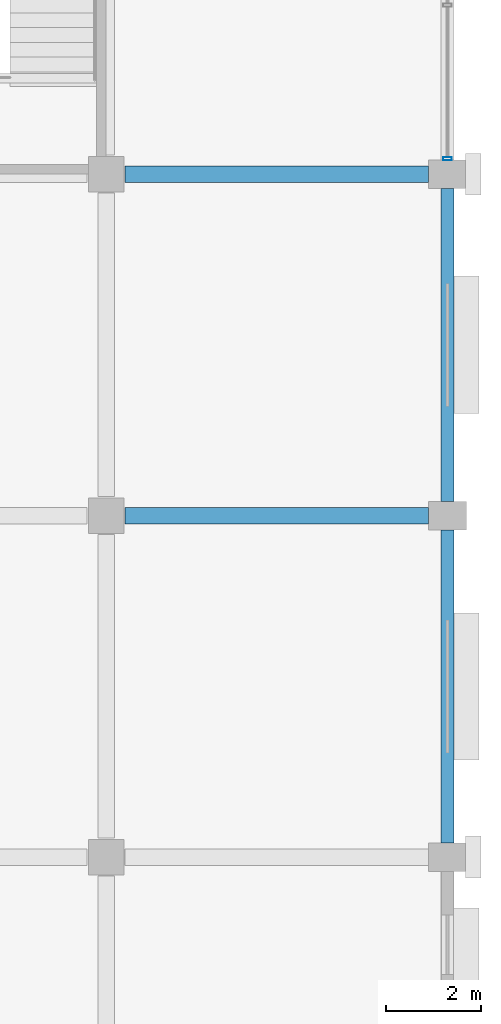
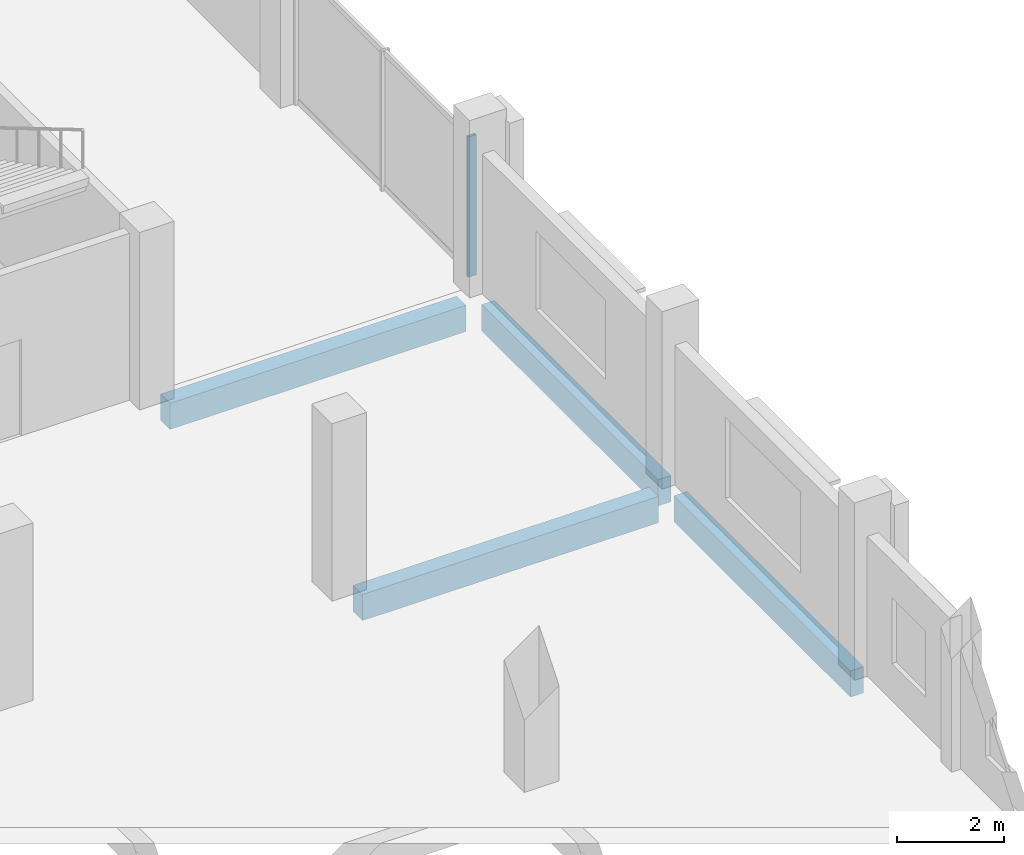
# One storey, part 58 of 108: 4 beams, 1 member, 1 element without a shape of its own.
"""IFC4 building model written with IfcOpenShell, lengths in metres."""

from ifc_helpers import new_model, si_unit, direction, frame, origin, origin_2d, place, context, subcontext, project, spatial, rectangle, hollow_rectangle, extrude, material, layer, layer_set, material_profile, profile_set, type_object, element, aggregate, save


model = new_model("IFC4")

# Units and contexts
model_context = context("Model", 3, precision=1e-05, world=origin(), true_north=direction((0.0, 1.0)))
body_context = subcontext(model_context, "Body", "Model", "MODEL_VIEW")
ifc_project = project(units=[si_unit("LENGTHUNIT", "METRE"), si_unit("AREAUNIT", "SQUARE_METRE"), si_unit("VOLUMEUNIT", "CUBIC_METRE"), si_unit("PLANEANGLEUNIT", "RADIAN"), si_unit("MASSUNIT", "GRAM", prefix="KILO")], contexts=[model_context])

# Site, building, storey
site_placement = place(None, origin())
site = spatial("IfcSite", under=ifc_project, at=site_placement, CompositionType="ELEMENT")
building_placement = place(site_placement, origin())
building = spatial("IfcBuilding", under=site, at=building_placement, Name="Kangsadwip Square Police Headquarters", CompositionType="ELEMENT")
storey_placement = place(building_placement, frame((0.0, 0.0, 9.449951171875)))
storey = spatial("IfcBuildingStorey", under=building, at=storey_placement, Name="L02", CompositionType="ELEMENT", Elevation=9.449951171875)

# Curtain wall, member
ifc_material_1 = material(Name="Thermally broken anodised aluminium AW-6063-T6", Category="aluminium")
ifc_layer = layer(ifc_material_1, 0.159912109375)
ifc_layer_set = layer_set([ifc_layer], Name="Thermally broken anodised aluminium AW-6063-T6")
curtain_wall_type = type_object("IfcCurtainWallType", Name="UnitisedCw6535x3200", PredefinedType="NOTDEFINED", material=ifc_layer_set)
curtain_wall_placement = place(storey_placement, origin())
curtain_wall = element("IfcCurtainWall", 1, at=curtain_wall_placement, inside=storey, type_object=curtain_wall_type, Name="Curtain Wall CW-L02-1656-0939", PredefinedType="NOTDEFINED")
ifc_material_2 = material(Name="Thermally broken anodised aluminium AW-6063-T6", Category="aluminium")
ifc_material_profile_1 = material_profile(ifc_material_2, hollow_rectangle(XDim=0.06494140625, YDim=0.179931640625, WallThickness=0.00390625, at=origin_2d()), Name="CWM 180X65X4")
ifc_profile_set_1 = profile_set([ifc_material_profile_1], Name="Thermally broken anodised aluminium AW-6063-T6")
member_type = type_object("IfcMemberType", Name="CwMullion160x65", PredefinedType="MULLION", material=ifc_profile_set_1)
member_placement = place(storey_placement, frame((165.60009765625, 93.927490234375, 0.0), z_axis=(0.0, 0.0, 1.0), x_axis=(0.0, 1.0, 0.0)))
member = element("IfcMember", 2, at=member_placement, type_object=member_type, Name="CW-34 mullion 1", PredefinedType="MULLION", context=body_context, shape_type="SweptSolid", body=[
    extrude(hollow_rectangle(XDim=0.06494140625, YDim=0.179931640625, WallThickness=0.00390625, at=origin_2d()), origin(), (0.0, 0.0, 1.0), 3.199951171875),
])
aggregate(curtain_wall, [member])

# Beams
ifc_material_3 = material(Name="Concrete M35 (35 MPa)", Category="concrete")
ifc_material_profile_2 = material_profile(ifc_material_3, rectangle(XDim=0.35009765625, YDim=0.60009765625, at=origin_2d()), Name="RC BM 600X350")
ifc_profile_set_2 = profile_set([ifc_material_profile_2], Name="Concrete M35 (35 MPa)")
beam_type_1 = type_object("IfcBeamType", Name="RcBeam600x350", PredefinedType="BEAM", material=ifc_profile_set_2)
for number, where, z_axis, x_axis, name in (
    (3, (158.800048828125, 86.39990234375, -0.5400390625), (1.0, 0.0, 0.0), (0.0, 1.0, 0.0), "Beam BM-L02-X-22-12"),
    (4, (158.800048828125, 93.60009765625, -0.5400390625), (1.0, 0.0, 0.0), (0.0, 1.0, 0.0), "Beam BM-L02-X-22-13"),
):
    element("IfcBeam", number, at=place(storey_placement, frame(where, z_axis=z_axis, x_axis=x_axis)), inside=storey, type_object=beam_type_1, Name=name, PredefinedType="BEAM", context=body_context, shape_type="SweptSolid", body=[
        extrude(rectangle(XDim=0.35009765625, YDim=0.60009765625, at=origin_2d()), origin(), (0.0, 0.0, 1.0), 6.39990234375),
    ])
ifc_material_4 = material(Name="Concrete M40 (40 MPa)", Category="concrete")
ifc_material_profile_3 = material_profile(ifc_material_4, rectangle(XDim=0.280029296875, YDim=0.60009765625, at=origin_2d()), Name="RC SPN 600X280")
ifc_profile_set_3 = profile_set([ifc_material_profile_3], Name="Concrete M40 (40 MPa)")
beam_type_2 = type_object("IfcBeamType", Name="RcSpandrel600x280", PredefinedType="SPANDREL", material=ifc_profile_set_3)
for number, where, z_axis, x_axis, name in (
    (5, (165.60009765625, 79.5, -0.5400390625), (0.0, 1.0, 0.0), (-1.0, 0.0, 0.0), "Beam BM-L02-Y-23-11"),
    (6, (165.60009765625, 86.699951171875, -0.5400390625), (0.0, 1.0, 0.0), (-1.0, 0.0, 0.0), "Beam BM-L02-Y-23-12"),
):
    element("IfcBeam", number, at=place(storey_placement, frame(where, z_axis=z_axis, x_axis=x_axis)), inside=storey, type_object=beam_type_2, Name=name, PredefinedType="SPANDREL", context=body_context, shape_type="SweptSolid", body=[
        extrude(rectangle(XDim=0.280029296875, YDim=0.60009765625, at=origin_2d()), origin(), (0.0, 0.0, 1.0), 6.60009765625),
    ])

save(model, "model.ifc")
